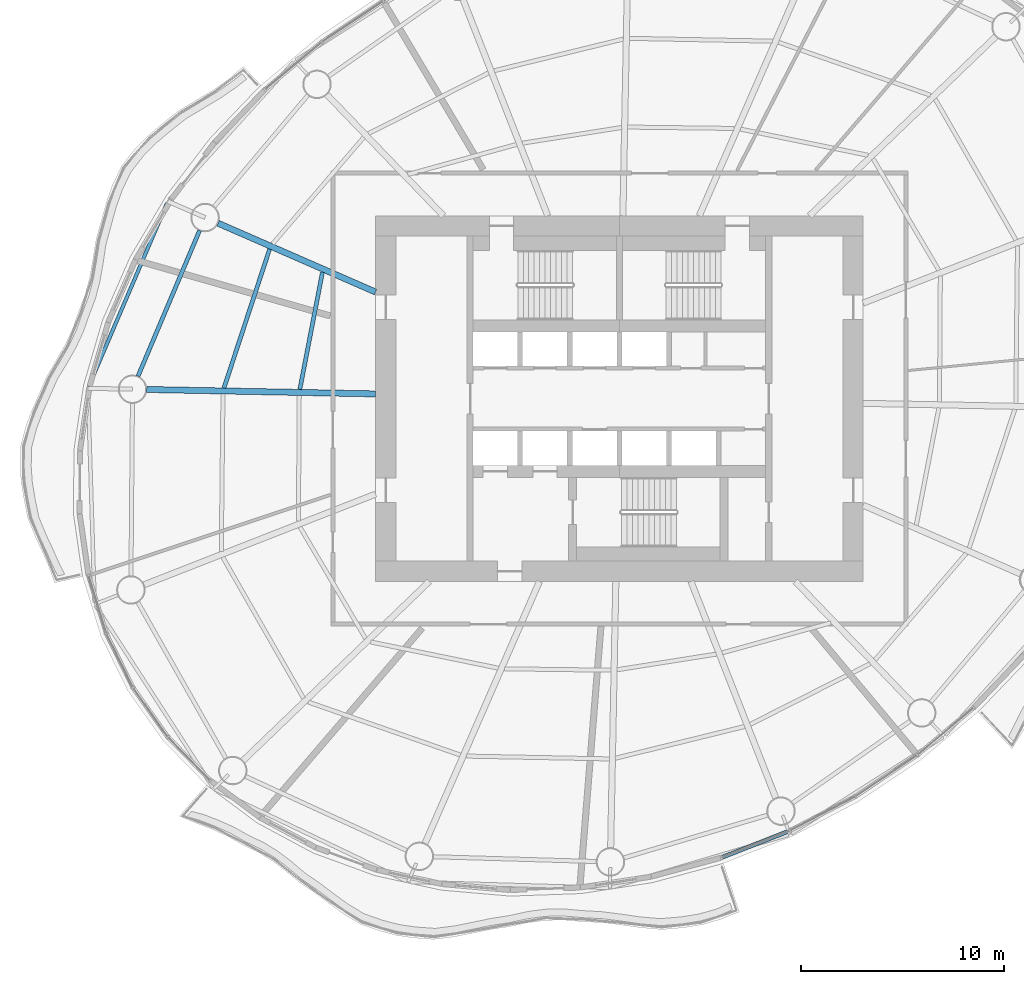
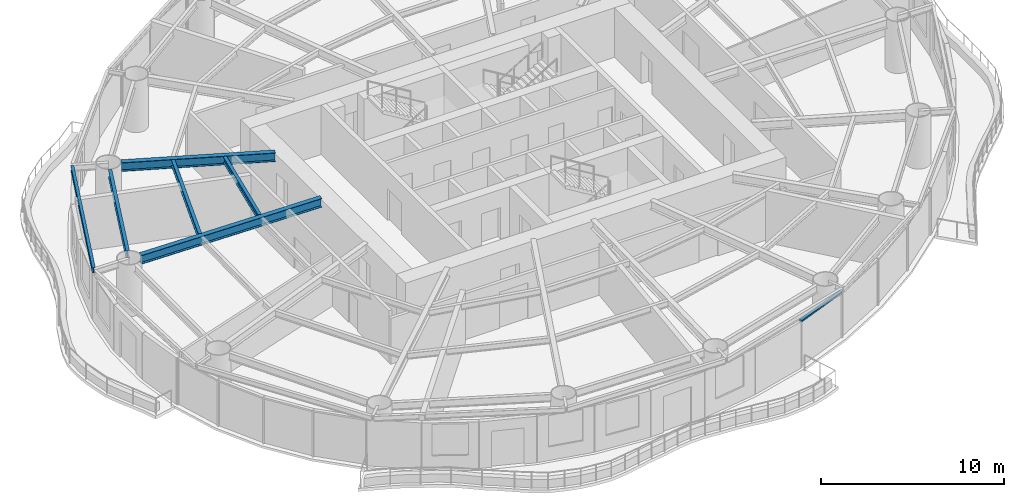
# One storey, part 3 of 14: 6 beams, 1 member, 1 element without a shape of its own.
"""IFC4 building model written with IfcOpenShell, lengths in metres."""

from ifc_helpers import new_model, si_unit, direction, frame, origin, origin_2d, place, context, subcontext, project, spatial, rectangle, i_section, extrude, material, material_profile, profile_set, type_object, element, aggregate, save


model = new_model("IFC4")

# Units and contexts
model_context = context("Model", 3, precision=1e-05, world=origin(), true_north=direction((0.0, 1.0)))
body_context = subcontext(model_context, "Body", "Model", "MODEL_VIEW")
ifc_project = project(units=[si_unit("LENGTHUNIT", "METRE"), si_unit("AREAUNIT", "SQUARE_METRE"), si_unit("VOLUMEUNIT", "CUBIC_METRE"), si_unit("PLANEANGLEUNIT", "RADIAN"), si_unit("MASSUNIT", "GRAM", prefix="KILO")], contexts=[model_context])

# Site, building, storey
site_placement = place(None, origin())
site = spatial("IfcSite", under=ifc_project, at=site_placement, CompositionType="ELEMENT")
building_placement = place(site_placement, origin())
building = spatial("IfcBuilding", under=site, at=building_placement, Name="Vermilion Reach Broadcast Tower", CompositionType="ELEMENT")
storey_placement = place(building_placement, frame((0.0, 0.0, 157.800048828125)))
storey = spatial("IfcBuildingStorey", under=building, at=storey_placement, Name="L37", CompositionType="ELEMENT", Elevation=157.800048828125)

# Beams
ifc_material_1 = material(Name="Steel S355J2", Category="steel")
ifc_material_profile_1 = material_profile(ifc_material_1, i_section(OverallWidth=0.175048828125, OverallDepth=0.35009765625, WebThickness=0.007080078125, FlangeThickness=0.010986328125, at=origin_2d()), Name="S355J2 HN 350x175x7x11")
ifc_profile_set_1 = profile_set([ifc_material_profile_1], Name="Steel S355J2")
beam_type_1 = type_object("IfcBeamType", Name="EB3 HN 350x175x7x11", PredefinedType="BEAM", material=ifc_profile_set_1)
beam_1_placement = place(storey_placement, frame((-28.258544921875, 9.6201171875, 3.27490234375), z_axis=(-0.393041453114, -0.919520753509, 0.0), x_axis=(0.919520753509, -0.393041453114, 0.0)))
element("IfcBeam", 1, at=beam_1_placement, inside=storey, type_object=beam_type_1, Name="Edge beam EB3-06", PredefinedType="BEAM", context=body_context, shape_type="SweptSolid", body=[
    extrude(i_section(OverallWidth=0.175048828125, OverallDepth=0.35009765625, WebThickness=0.007080078125, FlangeThickness=0.010986328125, at=origin_2d()), origin(), (0.0, 0.0, 1.0), 9.80322265625),
])
ifc_material_2 = material(Name="Steel S355J2", Category="steel")
ifc_material_profile_2 = material_profile(ifc_material_2, i_section(OverallWidth=0.300048828125, OverallDepth=0.587890625, WebThickness=0.011962890625, FlangeThickness=0.02001953125, at=origin_2d()), Name="S355J2 HM 588x300x12x20")
ifc_profile_set_2 = profile_set([ifc_material_profile_2], Name="Steel S355J2")
beam_type_2 = type_object("IfcBeamType", Name="G3 HM 588x300x12x20", PredefinedType="BEAM", material=ifc_profile_set_2)
beam_2_placement = place(storey_placement, frame((-18.0, 5.2451171875, 3.156005859375), z_axis=(-0.916287847036, 0.400520388213, 0.0), x_axis=(-0.400520388213, -0.916287847036, 0.0)))
element("IfcBeam", 2, at=beam_2_placement, inside=storey, type_object=beam_type_2, Name="Girder G3-06", PredefinedType="BEAM", context=body_context, shape_type="SweptSolid", body=[
    extrude(i_section(OverallWidth=0.300048828125, OverallDepth=0.587890625, WebThickness=0.011962890625, FlangeThickness=0.02001953125, at=origin_2d()), origin(), (0.0, 0.0, 1.0), 8.45458984375),
])
beam_3_placement = place(storey_placement, frame((-18.0, 0.232421875, 3.156005859375), z_axis=(-0.999812170888, 0.019380994401, 0.0), x_axis=(-0.019380994401, -0.999812170888, 0.0)))
element("IfcBeam", 3, at=beam_3_placement, inside=storey, type_object=beam_type_2, Name="Girder G3-07", PredefinedType="BEAM", context=body_context, shape_type="SweptSolid", body=[
    extrude(i_section(OverallWidth=0.300048828125, OverallDepth=0.587890625, WebThickness=0.011962890625, FlangeThickness=0.02001953125, at=origin_2d()), origin(), (0.0, 0.0, 1.0), 11.26171875),
])
ifc_material_3 = material(Name="Steel S355J2", Category="steel")
ifc_material_profile_3 = material_profile(ifc_material_3, i_section(OverallWidth=0.199951171875, OverallDepth=0.5, WebThickness=0.010009765625, FlangeThickness=0.01611328125, at=origin_2d()), Name="S355J2 HN 500x200x10x16")
ifc_profile_set_3 = profile_set([ifc_material_profile_3], Name="Steel S355J2")
beam_type_3 = type_object("IfcBeamType", Name="RB3 HN 500x200x10x16", PredefinedType="BEAM", material=ifc_profile_set_3)
beam_4_placement = place(storey_placement, frame((-26.660888671875, 8.266845703125, 3.199951171875), z_axis=(-0.389368386196, -0.921082113512, 0.0), x_axis=(0.921082113512, -0.389368386196, 0.0)))
element("IfcBeam", 4, at=beam_4_placement, inside=storey, type_object=beam_type_3, Name="Ring beam RB3-06", PredefinedType="BEAM", context=body_context, shape_type="SweptSolid", body=[
    extrude(i_section(OverallWidth=0.199951171875, OverallDepth=0.5, WebThickness=0.010009765625, FlangeThickness=0.01611328125, at=origin_2d()), origin(), (0.0, 0.0, 1.0), 7.771240234375),
])
ifc_material_4 = material(Name="Steel S355J2", Category="steel")
ifc_material_profile_4 = material_profile(ifc_material_4, i_section(OverallWidth=0.199951171875, OverallDepth=0.39990234375, WebThickness=0.008056640625, FlangeThickness=0.012939453125, at=origin_2d()), Name="S355J2 HN 400x200x8x13")
ifc_profile_set_4 = profile_set([ifc_material_profile_4], Name="Steel S355J2")
beam_type_4 = type_object("IfcBeamType", Name="SB3 HN 400x200x8x13", PredefinedType="BEAM", material=ifc_profile_set_4)
beam_5_placement = place(storey_placement, frame((-20.611328125, 6.222900390625, 3.25), z_axis=(-0.189462365782, -0.981887983404, 0.0), x_axis=(0.981887983404, -0.189462365782, 0.0)))
element("IfcBeam", 5, at=beam_5_placement, inside=storey, type_object=beam_type_4, Name="Secondary beam SB3-06-1", PredefinedType="BEAM", context=body_context, shape_type="SweptSolid", body=[
    extrude(i_section(OverallWidth=0.199951171875, OverallDepth=0.39990234375, WebThickness=0.008056640625, FlangeThickness=0.012939453125, at=origin_2d()), origin(), (0.0, 0.0, 1.0), 5.874755859375),
])
beam_6_placement = place(storey_placement, frame((-23.211669921875, 7.359375, 3.25), z_axis=(-0.312243016281, -0.950002262515, 0.0), x_axis=(0.950002262515, -0.312243016281, 0.0)))
element("IfcBeam", 6, at=beam_6_placement, inside=storey, type_object=beam_type_4, Name="Secondary beam SB3-06-2", PredefinedType="BEAM", context=body_context, shape_type="SweptSolid", body=[
    extrude(i_section(OverallWidth=0.199951171875, OverallDepth=0.39990234375, WebThickness=0.008056640625, FlangeThickness=0.012939453125, at=origin_2d()), origin(), (0.0, 0.0, 1.0), 7.19189453125),
])

# Curtain wall, member
ifc_material_5 = material(Name="Low-e laminated clear glass in aluminium frame", Category="aluminium")
curtain_wall_type = type_object("IfcCurtainWallType", Name="Slot curtain wall", PredefinedType="NOTDEFINED", material=ifc_material_5)
curtain_wall_placement = place(storey_placement, origin())
curtain_wall = element("IfcCurtainWall", 7, at=curtain_wall_placement, inside=storey, type_object=curtain_wall_type, Name="Slot curtain wall L37 34", PredefinedType="NOTDEFINED")
ifc_material_6 = material(Name="Anodised aluminium", Category="aluminium")
ifc_material_profile_5 = material_profile(ifc_material_6, rectangle(XDim=0.199951171875, YDim=0.10009765625, at=origin_2d()), Name="Slot transom 200 x 100")
ifc_profile_set_5 = profile_set([ifc_material_profile_5], Name="Anodised aluminium")
member_type = type_object("IfcMemberType", Name="Slot transom 200 x 100", PredefinedType="USERDEFINED", material=ifc_profile_set_5)
member_placement = place(storey_placement, frame((-0.939453125, -22.572265625, 3.050048828125), z_axis=(0.930663595514, 0.365876033629, 0.0), x_axis=(-0.365876033629, 0.930663595514, 0.0)))
member = element("IfcMember", 8, at=member_placement, type_object=member_type, Name="Slot transom L37 34.1", ObjectType="TRANSOM", PredefinedType="USERDEFINED", context=body_context, shape_type="SweptSolid", body=[
    extrude(rectangle(XDim=0.199951171875, YDim=0.10009765625, at=origin_2d()), origin(), (0.0, 0.0, 1.0), 3.5458984375),
])
aggregate(curtain_wall, [member])

save(model, "model.ifc")
